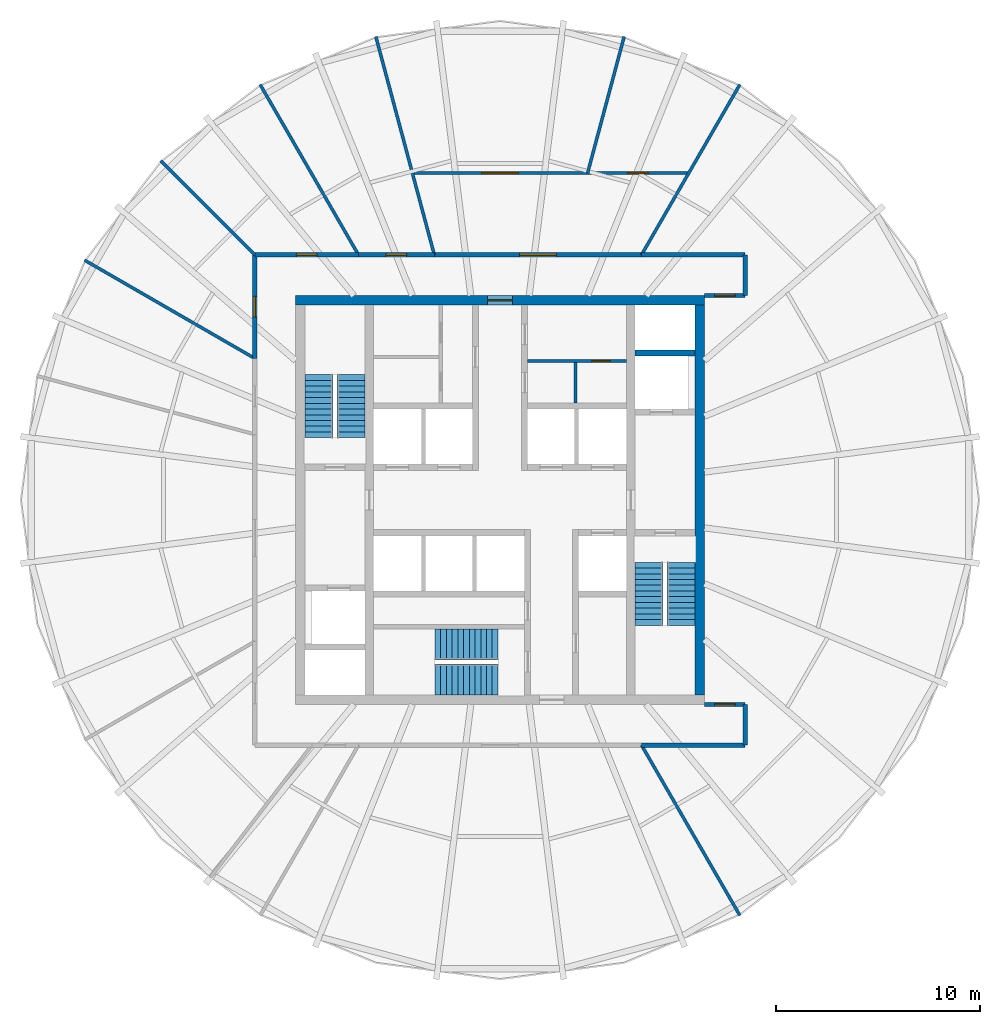
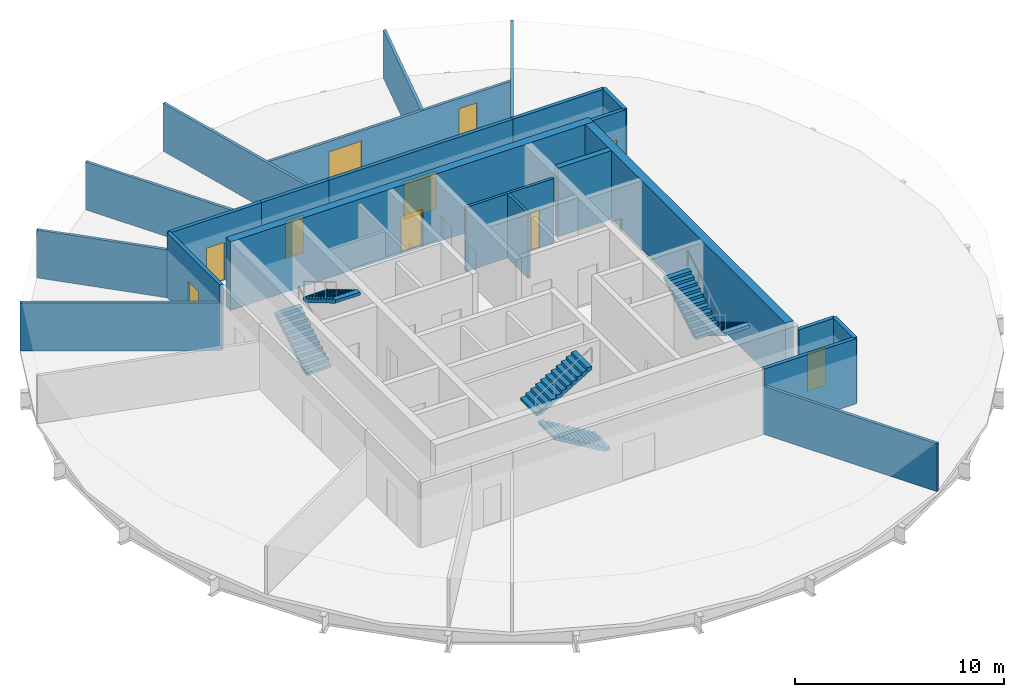
# One storey, part 4 of 5: 23 walls, 10 doors, 6 stair flights, 10 openings, 3 elements without a shape of their own.
"""IFC4 building model written with IfcOpenShell, lengths in metres."""

from ifc_helpers import new_model, si_unit, direction, frame, frame_2d, origin, place, context, subcontext, project, spatial, polyline, rectangle, outline, extrude, material, layer, layer_set, type_object, element, fill, aggregate, save


model = new_model("IFC4")

# Units and contexts
model_context = context("Model", 3, precision=1e-05, world=origin(), true_north=direction((0.0, 1.0)))
body_context = subcontext(model_context, "Body", "Model", "MODEL_VIEW")
ifc_project = project(units=[si_unit("LENGTHUNIT", "METRE"), si_unit("AREAUNIT", "SQUARE_METRE"), si_unit("VOLUMEUNIT", "CUBIC_METRE"), si_unit("PLANEANGLEUNIT", "RADIAN"), si_unit("MASSUNIT", "GRAM", prefix="KILO")], contexts=[model_context])

# Site, building, storey
site_placement = place(None, origin())
site = spatial("IfcSite", under=ifc_project, at=site_placement, CompositionType="ELEMENT")
building_placement = place(site_placement, origin())
building = spatial("IfcBuilding", under=site, at=building_placement, Name="Golbaran Civic Tower", CompositionType="ELEMENT")
storey_placement = place(building_placement, frame((0.0, 0.0, 207.0)))
storey = spatial("IfcBuildingStorey", under=building, at=storey_placement, Name="L50", CompositionType="ELEMENT", Elevation=207.0)

# Wall, opening, door
ifc_material_1 = material(Name="Concrete block", Category="concrete")
ifc_layer_1 = layer(ifc_material_1, 0.14990234375, Name="Concrete block")
ifc_layer_set_1 = layer_set([ifc_layer_1], Name="Concrete block")
wall_type_1 = type_object("IfcWallType", Name="BLOCKWORK PARTITION 150", PredefinedType="PARTITIONING", material=ifc_layer_set_1)
wall_1_placement = place(storey_placement, frame((1.35009765625, 6.800048828125, 0.0), z_axis=(0.0, 0.0, 1.0), x_axis=(1.0, 0.0, 0.0)))
wall_1 = element("IfcWall", 1, at=wall_1_placement, inside=storey, type_object=wall_type_1, Name="Toilet block partition TN1 L50", PredefinedType="PARTITIONING", context=body_context, shape_type="SweptSolid", body=[
    extrude(rectangle(XDim=4.849853515625, YDim=0.14990234375, at=frame_2d((2.4248046875, 0.0))), origin(), (0.0, 0.0, 1.0), 3.75),
])
opening_1_placement = place(wall_1_placement, frame((3.14990234375, 0.0, 0.0)))
opening_1 = element("IfcOpeningElement", 2, at=opening_1_placement, cuts=wall_1, Name="Opening L50.CLN", PredefinedType="OPENING", context=body_context, shape_type="SweptSolid", body=[
    extrude(rectangle(XDim=0.89990234375, YDim=2.199951171875, at=frame_2d((0.449951171875, 1.10009765625))), frame((0.0, 0.0849609375, 0.0), z_axis=(0.0, -1.0, 0.0), x_axis=(1.0, 0.0, 0.0)), (0.0, 0.0, 1.0), 0.169921875),
])
ifc_material_2 = material(Name="Timber door set in steel frame", Category="steel")
door_type_1 = type_object("IfcDoorType", Name="RISER DOOR 900x2200", OperationType="SINGLE_SWING_LEFT", PredefinedType="DOOR", material=ifc_material_2)
door_1_placement = place(opening_1_placement, origin())
door_1 = element("IfcDoor", 3, at=door_1_placement, inside=storey, type_object=door_type_1, Name="Floor Store door", OperationType="SINGLE_SWING_RIGHT", OverallHeight=2.199951171875, OverallWidth=0.89990234375, PredefinedType="DOOR", context=body_context, shape_type="SweptSolid", body=[
    extrude(rectangle(XDim=0.89990234375, YDim=2.199951171875, at=frame_2d((0.449951171875, 1.10009765625))), frame((0.0, 0.02490234375, 0.0), z_axis=(0.0, -1.0, 0.0), x_axis=(1.0, 0.0, 0.0)), (0.0, 0.0, 1.0), 0.050048828125),
])
fill(opening_1, door_1)

# Wall
wall_2_placement = place(storey_placement, frame((3.699951171875, 4.75, 0.0), z_axis=(0.0, 0.0, 1.0), x_axis=(0.0, 1.0, 0.0)))
element("IfcWall", 4, at=wall_2_placement, inside=storey, type_object=wall_type_1, Name="Toilet block partition TN2 L50", PredefinedType="PARTITIONING", context=body_context, shape_type="SweptSolid", body=[
    extrude(rectangle(XDim=1.97509765625, YDim=0.14990234375, at=frame_2d((0.987548828125, 0.0))), origin(), (0.0, 0.0, 1.0), 3.75),
])

# Wall, opening, door
ifc_material_3 = material(Name="Concrete C50/60", Category="concrete")
ifc_layer_2 = layer(ifc_material_3, 0.449951171875, Name="Concrete C50/60")
ifc_layer_set_2 = layer_set([ifc_layer_2], Name="Concrete C50/60")
wall_type_2 = type_object("IfcWallType", Name="CORE WALL CONCRETE 450", PredefinedType="SOLIDWALL", material=ifc_layer_set_2)
wall_3_placement = place(storey_placement, frame((-10.0, 9.77490234375, 0.0), z_axis=(0.0, 0.0, 1.0), x_axis=(1.0, 0.0, 0.0)))
wall_3 = element("IfcWall", 5, at=wall_3_placement, inside=storey, type_object=wall_type_2, Name="Core wall CN L50", PredefinedType="SOLIDWALL", context=body_context, shape_type="SweptSolid", body=[
    extrude(rectangle(XDim=20.0, YDim=0.449951171875, at=frame_2d((10.0, 0.0))), origin(), (0.0, 0.0, 1.0), 4.0),
])
opening_2_placement = place(wall_3_placement, frame((9.39990234375, 0.0, 0.0)))
opening_2 = element("IfcOpeningElement", 6, at=opening_2_placement, cuts=wall_3, Name="Opening L50.CN", PredefinedType="OPENING", context=body_context, shape_type="SweptSolid", body=[
    extrude(rectangle(XDim=1.199951171875, YDim=2.199951171875, at=frame_2d((0.60009765625, 1.10009765625))), frame((0.0, 0.23486328125, 0.0), z_axis=(0.0, -1.0, 0.0), x_axis=(1.0, 0.0, 0.0)), (0.0, 0.0, 1.0), 0.469970703125),
])
door_type_2 = type_object("IfcDoorType", Name="CORE DOOR 1200x2200", OperationType="DOUBLE_DOOR_SINGLE_SWING", PredefinedType="DOOR", material=ifc_material_2)
door_2_placement = place(opening_2_placement, origin())
door_2 = element("IfcDoor", 7, at=door_2_placement, inside=storey, type_object=door_type_2, Name="Core door north", OperationType="DOUBLE_DOOR_SINGLE_SWING", OverallHeight=2.199951171875, OverallWidth=1.199951171875, PredefinedType="DOOR", context=body_context, shape_type="SweptSolid", body=[
    extrude(rectangle(XDim=1.199951171875, YDim=2.199951171875, at=frame_2d((0.60009765625, 1.10009765625))), frame((0.0, 0.02490234375, 0.0), z_axis=(0.0, -1.0, 0.0), x_axis=(1.0, 0.0, 0.0)), (0.0, 0.0, 1.0), 0.050048828125),
])
fill(opening_2, door_2)

# Walls
wall_4_placement = place(storey_placement, frame((9.77490234375, -9.550048828125, 0.0), z_axis=(0.0, 0.0, 1.0), x_axis=(0.0, 1.0, 0.0)))
element("IfcWall", 8, at=wall_4_placement, inside=storey, type_object=wall_type_2, Name="Core wall CE L50", PredefinedType="SOLIDWALL", context=body_context, shape_type="SweptSolid", body=[
    extrude(rectangle(XDim=19.10009765625, YDim=0.449951171875, at=frame_2d((9.550048828125, 0.0))), origin(), (0.0, 0.0, 1.0), 4.0),
])
ifc_material_4 = material(Name="Gypsum board on steel studs, fire-rated", Category="steel")
ifc_layer_3 = layer(ifc_material_4, 0.199951171875, Name="Gypsum board on steel studs, fire-rated")
ifc_layer_set_3 = layer_set([ifc_layer_3], Name="Gypsum board on steel studs, fire-rated")
wall_type_3 = type_object("IfcWallType", Name="CORRIDOR WALL 200", PredefinedType="PARTITIONING", material=ifc_layer_set_3)
wall_5_placement = place(storey_placement, frame((12.0, 10.0, 0.0), z_axis=(0.0, 0.0, 1.0), x_axis=(0.0, 1.0, 0.0)))
element("IfcWall", 9, at=wall_5_placement, inside=storey, type_object=wall_type_3, Name="Corridor wall L50", PredefinedType="PARTITIONING", context=body_context, shape_type="SweptSolid", body=[
    extrude(rectangle(XDim=2.0, YDim=0.199951171875, at=frame_2d((1.0, 0.0))), origin(), (0.0, 0.0, 1.0), 3.800048828125),
])
wall_6_placement = place(storey_placement, frame((12.0, 12.0, 0.0), z_axis=(0.0, 0.0, 1.0), x_axis=(-1.0, 0.0, 0.0)))
element("IfcWall", 10, at=wall_6_placement, inside=storey, type_object=wall_type_3, Name="Corridor wall L50", PredefinedType="PARTITIONING", context=body_context, shape_type="SweptSolid", body=[
    extrude(rectangle(XDim=5.07177734375, YDim=0.199951171875, at=frame_2d((2.535888671875, 0.0))), origin(), (0.0, 0.0, 1.0), 3.800048828125),
])

# Wall, opening, door
wall_7_placement = place(storey_placement, frame((6.92822265625, 12.0, 0.0), z_axis=(0.0, 0.0, 1.0), x_axis=(-1.0, 0.0, 0.0)))
wall_7 = element("IfcWall", 11, at=wall_7_placement, inside=storey, type_object=wall_type_3, Name="Corridor wall L50", PredefinedType="PARTITIONING", context=body_context, shape_type="SweptSolid", body=[
    extrude(rectangle(XDim=10.1435546875, YDim=0.199951171875, at=frame_2d((5.07177734375, 0.0))), origin(), (0.0, 0.0, 1.0), 3.800048828125),
])
opening_3_placement = place(wall_7_placement, frame((4.171875, 0.0, 0.0)))
opening_3 = element("IfcOpeningElement", 12, at=opening_3_placement, cuts=wall_7, Name="Opening L50.04", PredefinedType="OPENING", context=body_context, shape_type="SweptSolid", body=[
    extrude(rectangle(XDim=1.800048828125, YDim=2.199951171875, at=frame_2d((0.89990234375, 1.10009765625))), frame((0.0, 0.10986328125, 0.0), z_axis=(0.0, -1.0, 0.0), x_axis=(1.0, 0.0, 0.0)), (0.0, 0.0, 1.0), 0.219970703125),
])
door_type_3 = type_object("IfcDoorType", Name="OFFICE DOUBLE DOOR 1800x2200", OperationType="DOUBLE_DOOR_SINGLE_SWING", PredefinedType="DOOR", material=ifc_material_2)
door_3_placement = place(opening_3_placement, origin())
door_3 = element("IfcDoor", 13, at=door_3_placement, inside=storey, type_object=door_type_3, Name="Secretariat door L50", OperationType="DOUBLE_DOOR_SINGLE_SWING", OverallHeight=2.199951171875, OverallWidth=1.800048828125, PredefinedType="DOOR", context=body_context, shape_type="SweptSolid", body=[
    extrude(rectangle(XDim=1.800048828125, YDim=2.199951171875, at=frame_2d((0.89990234375, 1.10009765625))), frame((0.0, 0.02490234375, 0.0), z_axis=(0.0, -1.0, 0.0), x_axis=(1.0, 0.0, 0.0)), (0.0, 0.0, 1.0), 0.050048828125),
])
fill(opening_3, door_3)

wall_8_placement = place(storey_placement, frame((-3.21533203125, 12.0, 0.0), z_axis=(0.0, 0.0, 1.0), x_axis=(-1.0, 0.0, 0.0)))
wall_8 = element("IfcWall", 14, at=wall_8_placement, inside=storey, type_object=wall_type_3, Name="Corridor wall L50", PredefinedType="PARTITIONING", context=body_context, shape_type="SweptSolid", body=[
    extrude(rectangle(XDim=3.712890625, YDim=0.199951171875, at=frame_2d((1.8564453125, 0.0))), origin(), (0.0, 0.0, 1.0), 3.800048828125),
])
opening_4_placement = place(wall_8_placement, frame((1.3564453125, 0.0, 0.0)))
opening_4 = element("IfcOpeningElement", 15, at=opening_4_placement, cuts=wall_8, Name="Opening L50.05", PredefinedType="OPENING", context=body_context, shape_type="SweptSolid", body=[
    extrude(rectangle(XDim=1.0, YDim=2.199951171875, at=frame_2d((0.5, 1.10009765625))), frame((0.0, 0.10986328125, 0.0), z_axis=(0.0, -1.0, 0.0), x_axis=(1.0, 0.0, 0.0)), (0.0, 0.0, 1.0), 0.219970703125),
])
door_type_4 = type_object("IfcDoorType", Name="OFFICE DOOR 1000x2200", OperationType="SINGLE_SWING_LEFT", PredefinedType="DOOR", material=ifc_material_2)
door_4_placement = place(opening_4_placement, origin())
door_4 = element("IfcDoor", 16, at=door_4_placement, inside=storey, type_object=door_type_4, Name="Meeting Room door L50", OperationType="SINGLE_SWING_RIGHT", OverallHeight=2.199951171875, OverallWidth=1.0, PredefinedType="DOOR", context=body_context, shape_type="SweptSolid", body=[
    extrude(rectangle(XDim=1.0, YDim=2.199951171875, at=frame_2d((0.5, 1.10009765625))), frame((0.0, 0.02490234375, 0.0), z_axis=(0.0, -1.0, 0.0), x_axis=(1.0, 0.0, 0.0)), (0.0, 0.0, 1.0), 0.050048828125),
])
fill(opening_4, door_4)

wall_9_placement = place(storey_placement, frame((-6.92822265625, 12.0, 0.0), z_axis=(0.0, 0.0, 1.0), x_axis=(-1.0, 0.0, 0.0)))
wall_9 = element("IfcWall", 17, at=wall_9_placement, inside=storey, type_object=wall_type_3, Name="Corridor wall L50", PredefinedType="PARTITIONING", context=body_context, shape_type="SweptSolid", body=[
    extrude(rectangle(XDim=5.07177734375, YDim=0.199951171875, at=frame_2d((2.535888671875, 0.0))), origin(), (0.0, 0.0, 1.0), 3.800048828125),
])
opening_5_placement = place(wall_9_placement, frame((2.035888671875, 0.0, 0.0)))
opening_5 = element("IfcOpeningElement", 18, at=opening_5_placement, cuts=wall_9, Name="Opening L50.06", PredefinedType="OPENING", context=body_context, shape_type="SweptSolid", body=[
    extrude(rectangle(XDim=1.0, YDim=2.199951171875, at=frame_2d((0.5, 1.10009765625))), frame((0.0, 0.10986328125, 0.0), z_axis=(0.0, -1.0, 0.0), x_axis=(1.0, 0.0, 0.0)), (0.0, 0.0, 1.0), 0.219970703125),
])
door_5_placement = place(opening_5_placement, origin())
door_5 = element("IfcDoor", 19, at=door_5_placement, inside=storey, type_object=door_type_4, Name="Meeting Room door L50", OperationType="SINGLE_SWING_RIGHT", OverallHeight=2.199951171875, OverallWidth=1.0, PredefinedType="DOOR", context=body_context, shape_type="SweptSolid", body=[
    extrude(rectangle(XDim=1.0, YDim=2.199951171875, at=frame_2d((0.5, 1.10009765625))), frame((0.0, 0.02490234375, 0.0), z_axis=(0.0, -1.0, 0.0), x_axis=(1.0, 0.0, 0.0)), (0.0, 0.0, 1.0), 0.050048828125),
])
fill(opening_5, door_5)

wall_10_placement = place(storey_placement, frame((-12.0, 12.0, 0.0), z_axis=(0.0, 0.0, 1.0), x_axis=(0.0, -1.0, 0.0)))
wall_10 = element("IfcWall", 20, at=wall_10_placement, inside=storey, type_object=wall_type_3, Name="Corridor wall L50", PredefinedType="PARTITIONING", context=body_context, shape_type="SweptSolid", body=[
    extrude(rectangle(XDim=5.07177734375, YDim=0.199951171875, at=frame_2d((2.535888671875, 0.0))), origin(), (0.0, 0.0, 1.0), 3.800048828125),
])
opening_6_placement = place(wall_10_placement, frame((2.035888671875, 0.0, 0.0)))
opening_6 = element("IfcOpeningElement", 21, at=opening_6_placement, cuts=wall_10, Name="Opening L50.07", PredefinedType="OPENING", context=body_context, shape_type="SweptSolid", body=[
    extrude(rectangle(XDim=1.0, YDim=2.199951171875, at=frame_2d((0.5, 1.10009765625))), frame((0.0, 0.10986328125, 0.0), z_axis=(0.0, -1.0, 0.0), x_axis=(1.0, 0.0, 0.0)), (0.0, 0.0, 1.0), 0.219970703125),
])
door_6_placement = place(opening_6_placement, origin())
door_6 = element("IfcDoor", 22, at=door_6_placement, inside=storey, type_object=door_type_4, Name="Print and Copy Room door L50", OperationType="SINGLE_SWING_RIGHT", OverallHeight=2.199951171875, OverallWidth=1.0, PredefinedType="DOOR", context=body_context, shape_type="SweptSolid", body=[
    extrude(rectangle(XDim=1.0, YDim=2.199951171875, at=frame_2d((0.5, 1.10009765625))), frame((0.0, 0.02490234375, 0.0), z_axis=(0.0, -1.0, 0.0), x_axis=(1.0, 0.0, 0.0)), (0.0, 0.0, 1.0), 0.050048828125),
])
fill(opening_6, door_6)

# Walls
wall_11_placement = place(storey_placement, frame((6.92822265625, -12.0, 0.0), z_axis=(0.0, 0.0, 1.0), x_axis=(1.0, 0.0, 0.0)))
element("IfcWall", 23, at=wall_11_placement, inside=storey, type_object=wall_type_3, Name="Corridor wall L50", PredefinedType="PARTITIONING", context=body_context, shape_type="SweptSolid", body=[
    extrude(rectangle(XDim=5.07177734375, YDim=0.199951171875, at=frame_2d((2.535888671875, 0.0))), origin(), (0.0, 0.0, 1.0), 3.800048828125),
])
wall_12_placement = place(storey_placement, frame((12.0, -12.0, 0.0), z_axis=(0.0, 0.0, 1.0), x_axis=(0.0, 1.0, 0.0)))
element("IfcWall", 24, at=wall_12_placement, inside=storey, type_object=wall_type_3, Name="Corridor wall L50", PredefinedType="PARTITIONING", context=body_context, shape_type="SweptSolid", body=[
    extrude(rectangle(XDim=2.0, YDim=0.199951171875, at=frame_2d((1.0, 0.0))), origin(), (0.0, 0.0, 1.0), 3.800048828125),
])

# Wall, opening, door
wall_13_placement = place(storey_placement, frame((10.0, 10.0, 0.0), z_axis=(0.0, 0.0, 1.0), x_axis=(1.0, 0.0, 0.0)))
wall_13 = element("IfcWall", 25, at=wall_13_placement, inside=storey, type_object=wall_type_3, Name="Corridor end wall L50", PredefinedType="PARTITIONING", context=body_context, shape_type="SweptSolid", body=[
    extrude(rectangle(XDim=2.0, YDim=0.199951171875, at=frame_2d((1.0, 0.0))), origin(), (0.0, 0.0, 1.0), 3.800048828125),
])
opening_7_placement = place(wall_13_placement, frame((0.5, 0.0, 0.0)))
opening_7 = element("IfcOpeningElement", 26, at=opening_7_placement, cuts=wall_13, Name="Opening L50.14", PredefinedType="OPENING", context=body_context, shape_type="SweptSolid", body=[
    extrude(rectangle(XDim=1.0, YDim=2.199951171875, at=frame_2d((0.5, 1.10009765625))), frame((0.0, 0.10986328125, 0.0), z_axis=(0.0, -1.0, 0.0), x_axis=(1.0, 0.0, 0.0)), (0.0, 0.0, 1.0), 0.219970703125),
])
door_7_placement = place(opening_7_placement, origin())
door_7 = element("IfcDoor", 27, at=door_7_placement, inside=storey, type_object=door_type_4, Name="Open Office door L50", OperationType="SINGLE_SWING_LEFT", OverallHeight=2.199951171875, OverallWidth=1.0, PredefinedType="DOOR", context=body_context, shape_type="SweptSolid", body=[
    extrude(rectangle(XDim=1.0, YDim=2.199951171875, at=frame_2d((0.5, 1.10009765625))), frame((0.0, 0.02490234375, 0.0), z_axis=(0.0, -1.0, 0.0), x_axis=(1.0, 0.0, 0.0)), (0.0, 0.0, 1.0), 0.050048828125),
])
fill(opening_7, door_7)

wall_14_placement = place(storey_placement, frame((10.0, -10.0, 0.0), z_axis=(0.0, 0.0, 1.0), x_axis=(1.0, 0.0, 0.0)))
wall_14 = element("IfcWall", 28, at=wall_14_placement, inside=storey, type_object=wall_type_3, Name="Corridor end wall L50", PredefinedType="PARTITIONING", context=body_context, shape_type="SweptSolid", body=[
    extrude(rectangle(XDim=2.0, YDim=0.199951171875, at=frame_2d((1.0, 0.0))), origin(), (0.0, 0.0, 1.0), 3.800048828125),
])
opening_8_placement = place(wall_14_placement, frame((0.5, 0.0, 0.0)))
opening_8 = element("IfcOpeningElement", 29, at=opening_8_placement, cuts=wall_14, Name="Opening L50.15", PredefinedType="OPENING", context=body_context, shape_type="SweptSolid", body=[
    extrude(rectangle(XDim=1.0, YDim=2.199951171875, at=frame_2d((0.5, 1.10009765625))), frame((0.0, 0.10986328125, 0.0), z_axis=(0.0, -1.0, 0.0), x_axis=(1.0, 0.0, 0.0)), (0.0, 0.0, 1.0), 0.219970703125),
])
door_8_placement = place(opening_8_placement, origin())
door_8 = element("IfcDoor", 30, at=door_8_placement, inside=storey, type_object=door_type_4, Name="Open Office door L50", OperationType="SINGLE_SWING_LEFT", OverallHeight=2.199951171875, OverallWidth=1.0, PredefinedType="DOOR", context=body_context, shape_type="SweptSolid", body=[
    extrude(rectangle(XDim=1.0, YDim=2.199951171875, at=frame_2d((0.5, 1.10009765625))), frame((0.0, 0.02490234375, 0.0), z_axis=(0.0, -1.0, 0.0), x_axis=(1.0, 0.0, 0.0)), (0.0, 0.0, 1.0), 0.050048828125),
])
fill(opening_8, door_8)

# Walls
ifc_material_5 = material(Name="Gypsum board on steel studs", Category="steel")
ifc_layer_4 = layer(ifc_material_5, 0.14990234375, Name="Gypsum board on steel studs")
ifc_layer_set_4 = layer_set([ifc_layer_4], Name="Gypsum board on steel studs")
wall_type_4 = type_object("IfcWallType", Name="OFFICE PARTITION 150", PredefinedType="PARTITIONING", material=ifc_layer_set_4)
wall_15_placement = place(storey_placement, frame((6.92822265625, 12.0, 0.0), z_axis=(0.0, 0.0, 1.0), x_axis=(0.499990471717, 0.866030904871, 0.0)))
element("IfcWall", 31, at=wall_15_placement, inside=storey, type_object=wall_type_4, Name="Partition 60 L50", PredefinedType="PARTITIONING", context=body_context, shape_type="SweptSolid", body=[
    extrude(rectangle(XDim=9.619873046875, YDim=0.14990234375, at=frame_2d((4.81005859375, 0.0))), origin(), (0.0, 0.0, 1.0), 2.7900390625),
])
wall_16_placement = place(storey_placement, frame((-3.21533203125, 12.0, 0.0), z_axis=(0.0, 0.0, 1.0), x_axis=(-0.258831035528, 0.965922613384, 0.0)))
element("IfcWall", 32, at=wall_16_placement, inside=storey, type_object=wall_type_4, Name="Partition 105 L50", PredefinedType="PARTITIONING", context=body_context, shape_type="SweptSolid", body=[
    extrude(rectangle(XDim=11.052978515625, YDim=0.14990234375, at=frame_2d((5.5263671875, 0.0))), origin(), (0.0, 0.0, 1.0), 2.7900390625),
])
wall_17_placement = place(storey_placement, frame((-6.92822265625, 12.0, 0.0), z_axis=(0.0, 0.0, 1.0), x_axis=(-0.499990471717, 0.866030904871, 0.0)))
element("IfcWall", 33, at=wall_17_placement, inside=storey, type_object=wall_type_4, Name="Partition 120 L50", PredefinedType="PARTITIONING", context=body_context, shape_type="SweptSolid", body=[
    extrude(rectangle(XDim=9.619873046875, YDim=0.14990234375, at=frame_2d((4.81005859375, 0.0))), origin(), (0.0, 0.0, 1.0), 2.7900390625),
])
wall_18_placement = place(storey_placement, frame((-12.0, 12.0, 0.0), z_axis=(0.0, 0.0, 1.0), x_axis=(-0.707106781187, 0.707106781187, 0.0)))
element("IfcWall", 34, at=wall_18_placement, inside=storey, type_object=wall_type_4, Name="Partition 135 L50", PredefinedType="PARTITIONING", context=body_context, shape_type="SweptSolid", body=[
    extrude(rectangle(XDim=6.505615234375, YDim=0.14990234375, at=frame_2d((3.2529296875, 0.0))), origin(), (0.0, 0.0, 1.0), 2.7900390625),
])
for number, where, z_axis, x_axis, name in (
    (35, (-12.0, 6.92822265625, 0.0), (0.0, 0.0, 1.0), (-0.866030904871, 0.499990471717, 0.0), "Partition 150 L50"),
    (36, (6.92822265625, -12.0, 0.0), (0.0, 0.0, 1.0), (0.499990471717, -0.866030904871, 0.0), "Partition 300 L50"),
):
    element("IfcWall", number, at=place(storey_placement, frame(where, z_axis=z_axis, x_axis=x_axis)), inside=storey, type_object=wall_type_4, Name=name, PredefinedType="PARTITIONING", context=body_context, shape_type="SweptSolid", body=[
        extrude(rectangle(XDim=9.619873046875, YDim=0.14990234375, at=frame_2d((4.81005859375, 0.0))), origin(), (0.0, 0.0, 1.0), 2.7900390625),
    ])

# Wall, openings, doors
wall_19_placement = place(storey_placement, frame((9.237548828125, 16.0, 0.0), z_axis=(0.0, 0.0, 1.0), x_axis=(-1.0, 0.0, 0.0)))
wall_19 = element("IfcWall", 37, at=wall_19_placement, inside=storey, type_object=wall_type_4, Name="Suite partition L50", PredefinedType="PARTITIONING", context=body_context, shape_type="SweptSolid", body=[
    extrude(rectangle(XDim=13.524658203125, YDim=0.14990234375, at=frame_2d((6.76220703125, 0.0))), origin(), (0.0, 0.0, 1.0), 2.7900390625),
])
opening_9_placement = place(wall_19_placement, frame((1.97509765625, 0.0, 0.0)))
opening_9 = element("IfcOpeningElement", 38, at=opening_9_placement, cuts=wall_19, Name="Opening L50.02", PredefinedType="OPENING", context=body_context, shape_type="SweptSolid", body=[
    extrude(rectangle(XDim=1.0, YDim=2.199951171875, at=frame_2d((0.5, 1.10009765625))), frame((0.0, 0.0849609375, 0.0), z_axis=(0.0, -1.0, 0.0), x_axis=(1.0, 0.0, 0.0)), (0.0, 0.0, 1.0), 0.169921875),
])
opening_10_placement = place(wall_19_placement, frame((8.337646484375, 0.0, 0.0)))
opening_10 = element("IfcOpeningElement", 39, at=opening_10_placement, cuts=wall_19, Name="Opening L50.03", PredefinedType="OPENING", context=body_context, shape_type="SweptSolid", body=[
    extrude(rectangle(XDim=1.800048828125, YDim=2.199951171875, at=frame_2d((0.89990234375, 1.10009765625))), frame((0.0, 0.0849609375, 0.0), z_axis=(0.0, -1.0, 0.0), x_axis=(1.0, 0.0, 0.0)), (0.0, 0.0, 1.0), 0.169921875),
])
door_9_placement = place(opening_9_placement, origin())
door_9 = element("IfcDoor", 40, at=door_9_placement, inside=storey, type_object=door_type_4, Name="Office door L50", OperationType="SINGLE_SWING_LEFT", OverallHeight=2.199951171875, OverallWidth=1.0, PredefinedType="DOOR", context=body_context, shape_type="SweptSolid", body=[
    extrude(rectangle(XDim=1.0, YDim=2.199951171875, at=frame_2d((0.5, 1.10009765625))), frame((0.0, 0.02490234375, 0.0), z_axis=(0.0, -1.0, 0.0), x_axis=(1.0, 0.0, 0.0)), (0.0, 0.0, 1.0), 0.050048828125),
])
fill(opening_9, door_9)
door_10_placement = place(opening_10_placement, origin())
door_10 = element("IfcDoor", 41, at=door_10_placement, inside=storey, type_object=door_type_3, Name="Director's Office door L50", OperationType="DOUBLE_DOOR_SINGLE_SWING", OverallHeight=2.199951171875, OverallWidth=1.800048828125, PredefinedType="DOOR", context=body_context, shape_type="SweptSolid", body=[
    extrude(rectangle(XDim=1.800048828125, YDim=2.199951171875, at=frame_2d((0.89990234375, 1.10009765625))), frame((0.0, 0.02490234375, 0.0), z_axis=(0.0, -1.0, 0.0), x_axis=(1.0, 0.0, 0.0)), (0.0, 0.0, 1.0), 0.050048828125),
])
fill(opening_10, door_10)

# Walls
wall_20_placement = place(storey_placement, frame((4.287109375, 16.0, 0.0), z_axis=(0.0, 0.0, 1.0), x_axis=(0.258840841621, 0.965919985666, 0.0)))
element("IfcWall", 42, at=wall_20_placement, inside=storey, type_object=wall_type_4, Name="Partition 75 L50", PredefinedType="PARTITIONING", context=body_context, shape_type="SweptSolid", body=[
    extrude(rectangle(XDim=6.911865234375, YDim=0.14990234375, at=frame_2d((3.4560546875, 0.0))), origin(), (0.0, 0.0, 1.0), 2.7900390625),
])
ifc_layer_5 = layer(ifc_material_3, 0.300048828125, Name="Concrete C50/60")
ifc_layer_set_5 = layer_set([ifc_layer_5], Name="Concrete C50/60")
wall_type_5 = type_object("IfcWallType", Name="SHAFT WALL CONCRETE 300", PredefinedType="SOLIDWALL", material=ifc_layer_set_5)
wall_21_placement = place(storey_placement, frame((6.60009765625, 7.199951171875, 0.0), z_axis=(0.0, 0.0, 1.0), x_axis=(1.0, 0.0, 0.0)))
element("IfcWall", 43, at=wall_21_placement, inside=storey, type_object=wall_type_5, Name="Core wall XE3 L50", PredefinedType="SOLIDWALL", context=body_context, shape_type="SweptSolid", body=[
    extrude(rectangle(XDim=2.949951171875, YDim=0.300048828125, at=frame_2d((1.47509765625, 0.0))), origin(), (0.0, 0.0, 1.0), 4.0),
])

# Stair, stair flights
ifc_material_6 = material(Name="Concrete C35/45", Category="concrete")
stair_type_1 = type_object("IfcStairType", Name="EXIT STAIR 2950 x 7800, 4000 RISE", PredefinedType="HALF_TURN_STAIR", material=ifc_material_6)
stair_1_placement = place(storey_placement, origin())
stair_1 = element("IfcStair", 44, at=stair_1_placement, inside=storey, type_object=stair_type_1, Name="Stair S1 L50", PredefinedType="HALF_TURN_STAIR")
stair_flight_type_1 = type_object("IfcStairFlightType", Name="STAIR FLIGHT 1375 WIDE", PredefinedType="STRAIGHT", material=ifc_material_6)
stair_flight_1_placement = place(storey_placement, frame((-8.862548828125, 3.050048828125, 0.0), z_axis=(0.0, 0.0, 1.0), x_axis=(0.0, 1.0, 0.0)))
stair_flight_1 = element("IfcStairFlight", 45, at=stair_flight_1_placement, type_object=stair_flight_type_1, Name="ST29578-40 flight 1", NumberOfRisers=12, NumberOfTreads=11, PredefinedType="STRAIGHT", RiserHeight=0.166666667, TreadLength=0.28, context=body_context, shape_type="SweptSolid", body=[
    extrude(outline(polyline([(0.0, 0.0), (0.0, 0.166748046875), (0.280029296875, 0.166748046875), (0.280029296875, 0.333251953125), (0.56005859375, 0.333251953125), (0.56005859375, 0.5), (0.840087890625, 0.5), (0.840087890625, 0.666748046875), (1.1201171875, 0.666748046875), (1.1201171875, 0.833251953125), (1.39990234375, 0.833251953125), (1.39990234375, 1.0), (1.679931640625, 1.0), (1.679931640625, 1.166748046875), (1.9599609375, 1.166748046875), (1.9599609375, 1.333251953125), (2.239990234375, 1.333251953125), (2.239990234375, 1.5), (2.52001953125, 1.5), (2.52001953125, 1.666748046875), (2.800048828125, 1.666748046875), (2.800048828125, 1.833251953125), (3.080078125, 1.833251953125), (3.080078125, 2.0), (3.080078125, 1.658935546875), (0.29296875, 0.0), (0.0, 0.0)])), frame((0.0, 0.6875, 0.0), z_axis=(0.0, -1.0, 0.0), x_axis=(1.0, 0.0, 0.0)), (0.0, 0.0, 1.0), 1.375),
])
stair_flight_2_placement = place(storey_placement, frame((-7.28759765625, 6.1298828125, 2.0), z_axis=(0.0, 0.0, 1.0), x_axis=(0.0, -1.0, 0.0)))
stair_flight_2 = element("IfcStairFlight", 46, at=stair_flight_2_placement, type_object=stair_flight_type_1, Name="ST29578-40 flight 2", NumberOfRisers=12, NumberOfTreads=11, PredefinedType="STRAIGHT", RiserHeight=0.166666667, TreadLength=0.28, context=body_context, shape_type="SweptSolid", body=[
    extrude(outline(polyline([(0.0, 0.0), (0.0, 0.166748046875), (0.280029296875, 0.166748046875), (0.280029296875, 0.333251953125), (0.56005859375, 0.333251953125), (0.56005859375, 0.5), (0.840087890625, 0.5), (0.840087890625, 0.666748046875), (1.1201171875, 0.666748046875), (1.1201171875, 0.833251953125), (1.39990234375, 0.833251953125), (1.39990234375, 1.0), (1.679931640625, 1.0), (1.679931640625, 1.166748046875), (1.9599609375, 1.166748046875), (1.9599609375, 1.333251953125), (2.239990234375, 1.333251953125), (2.239990234375, 1.5), (2.52001953125, 1.5), (2.52001953125, 1.666748046875), (2.800048828125, 1.666748046875), (2.800048828125, 1.833251953125), (3.080078125, 1.833251953125), (3.080078125, 2.0), (3.080078125, 1.658935546875), (0.29296875, 0.0), (0.0, 0.0)])), frame((0.0, 0.6875, 0.0), z_axis=(0.0, -1.0, 0.0), x_axis=(1.0, 0.0, 0.0)), (0.0, 0.0, 1.0), 1.375),
])
aggregate(stair_1, [stair_flight_1, stair_flight_2])

stair_2_placement = place(storey_placement, origin())
stair_2 = element("IfcStair", 47, at=stair_2_placement, inside=storey, type_object=stair_type_1, Name="Stair S2 L50", PredefinedType="HALF_TURN_STAIR")
stair_flight_3_placement = place(storey_placement, frame((8.862548828125, -3.050048828125, 0.0), z_axis=(0.0, 0.0, 1.0), x_axis=(0.0, -1.0, 0.0)))
stair_flight_3 = element("IfcStairFlight", 48, at=stair_flight_3_placement, type_object=stair_flight_type_1, Name="ST29578-40 flight 1", NumberOfRisers=12, NumberOfTreads=11, PredefinedType="STRAIGHT", RiserHeight=0.166666667, TreadLength=0.28, context=body_context, shape_type="SweptSolid", body=[
    extrude(outline(polyline([(0.0, 0.0), (0.0, 0.166748046875), (0.280029296875, 0.166748046875), (0.280029296875, 0.333251953125), (0.56005859375, 0.333251953125), (0.56005859375, 0.5), (0.840087890625, 0.5), (0.840087890625, 0.666748046875), (1.1201171875, 0.666748046875), (1.1201171875, 0.833251953125), (1.39990234375, 0.833251953125), (1.39990234375, 1.0), (1.679931640625, 1.0), (1.679931640625, 1.166748046875), (1.9599609375, 1.166748046875), (1.9599609375, 1.333251953125), (2.239990234375, 1.333251953125), (2.239990234375, 1.5), (2.52001953125, 1.5), (2.52001953125, 1.666748046875), (2.800048828125, 1.666748046875), (2.800048828125, 1.833251953125), (3.080078125, 1.833251953125), (3.080078125, 2.0), (3.080078125, 1.658935546875), (0.29296875, 0.0), (0.0, 0.0)])), frame((0.0, 0.6875, 0.0), z_axis=(0.0, -1.0, 0.0), x_axis=(1.0, 0.0, 0.0)), (0.0, 0.0, 1.0), 1.375),
])
stair_flight_4_placement = place(storey_placement, frame((7.28759765625, -6.1298828125, 2.0), z_axis=(0.0, 0.0, 1.0), x_axis=(0.0, 1.0, 0.0)))
stair_flight_4 = element("IfcStairFlight", 49, at=stair_flight_4_placement, type_object=stair_flight_type_1, Name="ST29578-40 flight 2", NumberOfRisers=12, NumberOfTreads=11, PredefinedType="STRAIGHT", RiserHeight=0.166666667, TreadLength=0.28, context=body_context, shape_type="SweptSolid", body=[
    extrude(outline(polyline([(0.0, 0.0), (0.0, 0.166748046875), (0.280029296875, 0.166748046875), (0.280029296875, 0.333251953125), (0.56005859375, 0.333251953125), (0.56005859375, 0.5), (0.840087890625, 0.5), (0.840087890625, 0.666748046875), (1.1201171875, 0.666748046875), (1.1201171875, 0.833251953125), (1.39990234375, 0.833251953125), (1.39990234375, 1.0), (1.679931640625, 1.0), (1.679931640625, 1.166748046875), (1.9599609375, 1.166748046875), (1.9599609375, 1.333251953125), (2.239990234375, 1.333251953125), (2.239990234375, 1.5), (2.52001953125, 1.5), (2.52001953125, 1.666748046875), (2.800048828125, 1.666748046875), (2.800048828125, 1.833251953125), (3.080078125, 1.833251953125), (3.080078125, 2.0), (3.080078125, 1.658935546875), (0.29296875, 0.0), (0.0, 0.0)])), frame((0.0, 0.6875, 0.0), z_axis=(0.0, -1.0, 0.0), x_axis=(1.0, 0.0, 0.0)), (0.0, 0.0, 1.0), 1.375),
])
aggregate(stair_2, [stair_flight_3, stair_flight_4])

stair_type_2 = type_object("IfcStairType", Name="EXIT STAIR 3250 x 7400, 4000 RISE", PredefinedType="HALF_TURN_STAIR", material=ifc_material_6)
stair_3_placement = place(storey_placement, origin())
stair_3 = element("IfcStair", 50, at=stair_3_placement, inside=storey, type_object=stair_type_2, Name="Stair S3 L50", PredefinedType="HALF_TURN_STAIR")
stair_flight_type_2 = type_object("IfcStairFlightType", Name="STAIR FLIGHT 1525 WIDE", PredefinedType="STRAIGHT", material=ifc_material_6)
stair_flight_5_placement = place(storey_placement, frame((-0.10009765625, -8.78759765625, 0.0), z_axis=(0.0, 0.0, 1.0), x_axis=(-1.0, 0.0, 0.0)))
stair_flight_5 = element("IfcStairFlight", 51, at=stair_flight_5_placement, type_object=stair_flight_type_2, Name="ST32574-40 flight 1", NumberOfRisers=12, NumberOfTreads=11, PredefinedType="STRAIGHT", RiserHeight=0.166666667, TreadLength=0.28, context=body_context, shape_type="SweptSolid", body=[
    extrude(outline(polyline([(0.0, 0.0), (0.0, 0.166748046875), (0.280029296875, 0.166748046875), (0.280029296875, 0.333251953125), (0.56005859375, 0.333251953125), (0.56005859375, 0.5), (0.840087890625, 0.5), (0.840087890625, 0.666748046875), (1.1201171875, 0.666748046875), (1.1201171875, 0.833251953125), (1.39990234375, 0.833251953125), (1.39990234375, 1.0), (1.679931640625, 1.0), (1.679931640625, 1.166748046875), (1.9599609375, 1.166748046875), (1.9599609375, 1.333251953125), (2.239990234375, 1.333251953125), (2.239990234375, 1.5), (2.52001953125, 1.5), (2.52001953125, 1.666748046875), (2.800048828125, 1.666748046875), (2.800048828125, 1.833251953125), (3.080078125, 1.833251953125), (3.080078125, 2.0), (3.080078125, 1.658935546875), (0.29296875, 0.0), (0.0, 0.0)])), frame((0.0, 0.762451171875, 0.0), z_axis=(0.0, -1.0, 0.0), x_axis=(1.0, 0.0, 0.0)), (0.0, 0.0, 1.0), 1.52490234375),
])
stair_flight_6_placement = place(storey_placement, frame((-3.179931640625, -7.0625, 2.0), z_axis=(0.0, 0.0, 1.0), x_axis=(1.0, 0.0, 0.0)))
stair_flight_6 = element("IfcStairFlight", 52, at=stair_flight_6_placement, type_object=stair_flight_type_2, Name="ST32574-40 flight 2", NumberOfRisers=12, NumberOfTreads=11, PredefinedType="STRAIGHT", RiserHeight=0.166666667, TreadLength=0.28, context=body_context, shape_type="SweptSolid", body=[
    extrude(outline(polyline([(0.0, 0.0), (0.0, 0.166748046875), (0.280029296875, 0.166748046875), (0.280029296875, 0.333251953125), (0.56005859375, 0.333251953125), (0.56005859375, 0.5), (0.840087890625, 0.5), (0.840087890625, 0.666748046875), (1.1201171875, 0.666748046875), (1.1201171875, 0.833251953125), (1.39990234375, 0.833251953125), (1.39990234375, 1.0), (1.679931640625, 1.0), (1.679931640625, 1.166748046875), (1.9599609375, 1.166748046875), (1.9599609375, 1.333251953125), (2.239990234375, 1.333251953125), (2.239990234375, 1.5), (2.52001953125, 1.5), (2.52001953125, 1.666748046875), (2.800048828125, 1.666748046875), (2.800048828125, 1.833251953125), (3.080078125, 1.833251953125), (3.080078125, 2.0), (3.080078125, 1.658935546875), (0.29296875, 0.0), (0.0, 0.0)])), frame((0.0, 0.762451171875, 0.0), z_axis=(0.0, -1.0, 0.0), x_axis=(1.0, 0.0, 0.0)), (0.0, 0.0, 1.0), 1.52490234375),
])
aggregate(stair_3, [stair_flight_5, stair_flight_6])

save(model, "model.ifc")
